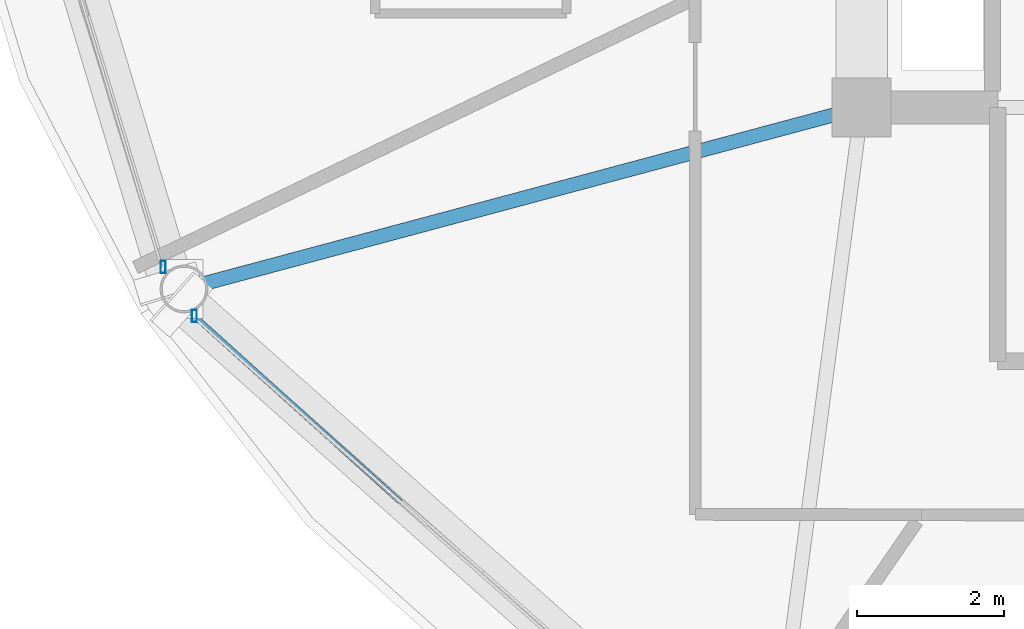
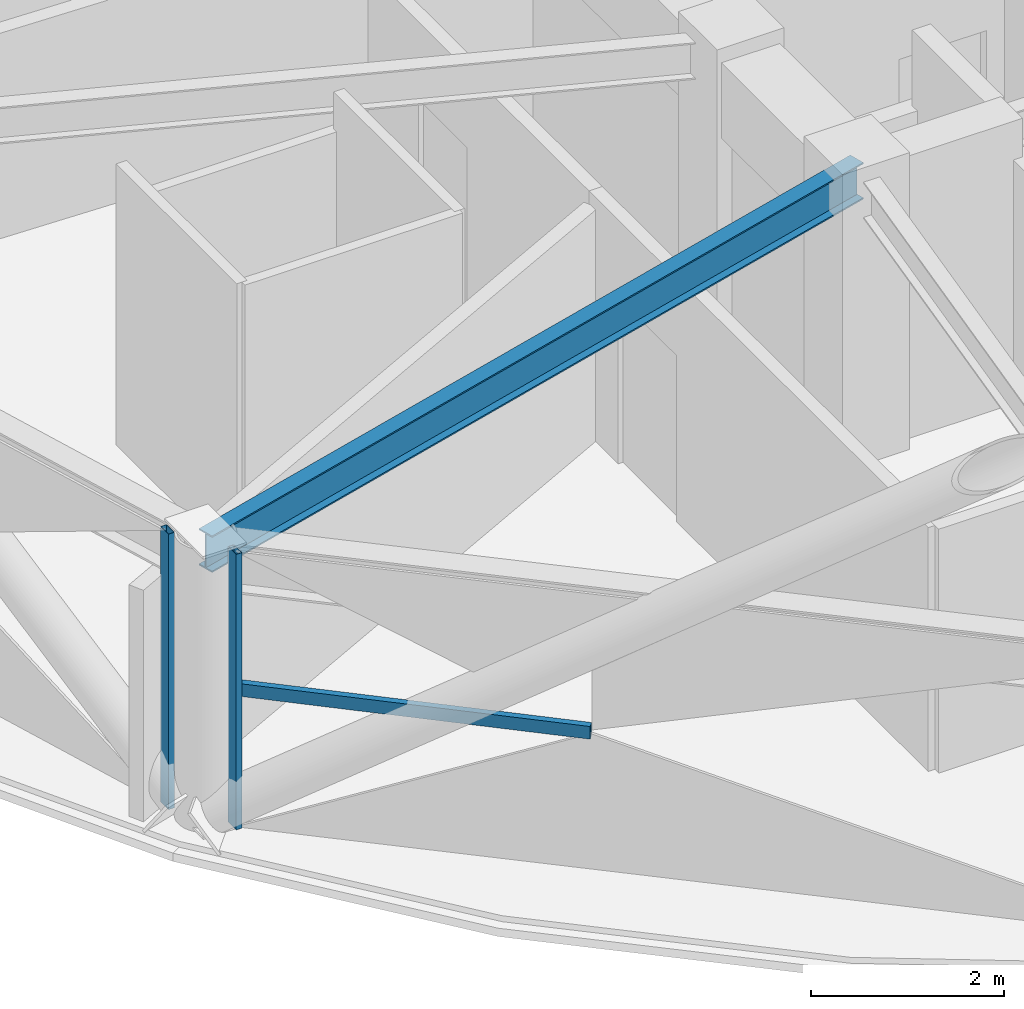
# One storey, part 3 of 29: 3 members, 1 beam, 2 elements without a shape of their own.
"""IFC4 building model written with IfcOpenShell, lengths in metres."""

from ifc_helpers import new_model, si_unit, direction, frame, origin, origin_2d, place, context, subcontext, project, spatial, hollow_rectangle, i_section, extrude, material, layer, layer_set, material_profile, profile_set, type_object, element, aggregate, save


model = new_model("IFC4")

# Units and contexts
model_context = context("Model", 3, precision=1e-05, world=origin(), true_north=direction((0.0, 1.0)))
body_context = subcontext(model_context, "Body", "Model", "MODEL_VIEW")
ifc_project = project(units=[si_unit("LENGTHUNIT", "METRE"), si_unit("AREAUNIT", "SQUARE_METRE"), si_unit("VOLUMEUNIT", "CUBIC_METRE"), si_unit("PLANEANGLEUNIT", "RADIAN"), si_unit("MASSUNIT", "GRAM", prefix="KILO")], contexts=[model_context])

# Site, building, storey
site_placement = place(None, origin())
site = spatial("IfcSite", under=ifc_project, at=site_placement, CompositionType="ELEMENT")
building_placement = place(site_placement, origin())
building = spatial("IfcBuilding", under=site, at=building_placement, Name="Vantalir Tower", CompositionType="ELEMENT")
storey_placement = place(building_placement, frame((0.0, 0.0, 234.89990234375)))
storey = spatial("IfcBuildingStorey", under=building, at=storey_placement, Name="L59", CompositionType="ELEMENT", Elevation=234.89990234375)

# Beam
ifc_material_1 = material(Name="Steel S355", Category="steel")
ifc_material_profile_1 = material_profile(ifc_material_1, i_section(OverallWidth=0.19189453125, OverallDepth=0.462890625, WebThickness=0.010498046875, FlangeThickness=0.017578125, at=origin_2d()), Name="Steel S355")
ifc_profile_set_1 = profile_set([ifc_material_profile_1], Name="Steel S355")
beam_type = type_object("IfcBeamType", Name="BM-RB-457x191", PredefinedType="BEAM", material=ifc_profile_set_1)
beam_placement = place(storey_placement, frame((12.69189453125, 15.3330078125, 3.338134765625), z_axis=(0.965932047749, 0.25879582518, 0.0), x_axis=(-0.25879582518, 0.965932047749, 0.0)))
element("IfcBeam", 1, at=beam_placement, inside=storey, type_object=beam_type, Name="L59 Radial Floor Beam 08", PredefinedType="BEAM", context=body_context, shape_type="SweptSolid", body=[
    extrude(i_section(OverallWidth=0.19189453125, OverallDepth=0.462890625, WebThickness=0.010498046875, FlangeThickness=0.017578125, at=origin_2d()), origin(), (0.0, 0.0, 1.0), 9.53271484375),
])

# Curtain wall, member
ifc_material_2 = material(Name="Champagne-silver PVDF aluminium and double-silver Low-E glass", Category="aluminium")
ifc_layer = layer(ifc_material_2, 0.2099609375)
ifc_layer_set = layer_set([ifc_layer], Name="Champagne-silver PVDF aluminium and double-silver Low-E glass")
curtain_wall_type = type_object("IfcCurtainWallType", Name="CW-DIAMOND-Z3", PredefinedType="USERDEFINED", material=ifc_layer_set)
curtain_wall_1_placement = place(storey_placement, origin())
curtain_wall_1 = element("IfcCurtainWall", 2, at=curtain_wall_1_placement, inside=storey, type_object=curtain_wall_type, Name="L59 Quilted Pyramid-Diamond Curtain Wall S07", ObjectType="UNITISED CURTAIN WALL", PredefinedType="USERDEFINED")
ifc_material_3 = material(Name="Champagne-silver PVDF aluminium 6063-T6", Category="aluminium")
ifc_material_profile_2 = material_profile(ifc_material_3, hollow_rectangle(XDim=0.070068359375, YDim=0.1650390625, WallThickness=0.00390625, at=origin_2d()), Name="Champagne-silver PVDF aluminium 6063-T6")
ifc_profile_set_2 = profile_set([ifc_material_profile_2], Name="Champagne-silver PVDF aluminium 6063-T6")
member_type_1 = type_object("IfcMemberType", Name="CWM-165x70", PredefinedType="MULLION", material=ifc_profile_set_2)
member_1_placement = place(storey_placement, frame((12.408935546875, 15.631103515625, 0.045166015625), z_axis=(0.0, 0.0, 1.0), x_axis=(1.0, 0.0, 0.0)))
member_1 = element("IfcMember", 3, at=member_1_placement, type_object=member_type_1, Name="CW-L59-S07 Mullion 2", PredefinedType="MULLION", context=body_context, shape_type="SweptSolid", body=[
    extrude(hollow_rectangle(XDim=0.070068359375, YDim=0.1650390625, WallThickness=0.00390625, at=origin_2d()), origin(), (0.0, 0.0, 1.0), 3.47998046875),
])
aggregate(curtain_wall_1, [member_1])

# Curtain wall, members
curtain_wall_2_placement = place(storey_placement, origin())
curtain_wall_2 = element("IfcCurtainWall", 4, at=curtain_wall_2_placement, inside=storey, type_object=curtain_wall_type, Name="L59 Quilted Pyramid-Diamond Curtain Wall S08", ObjectType="UNITISED CURTAIN WALL", PredefinedType="USERDEFINED")
member_2_placement = place(storey_placement, frame((12.8330078125, 14.965087890625, 0.045166015625), z_axis=(0.0, 0.0, 1.0), x_axis=(1.0, 0.0, 0.0)))
member_2 = element("IfcMember", 5, at=member_2_placement, type_object=member_type_1, Name="CW-L59-S08 Mullion 1", PredefinedType="MULLION", context=body_context, shape_type="SweptSolid", body=[
    extrude(hollow_rectangle(XDim=0.070068359375, YDim=0.1650390625, WallThickness=0.00390625, at=origin_2d()), origin(), (0.0, 0.0, 1.0), 3.47998046875),
])
ifc_material_profile_3 = material_profile(ifc_material_3, hollow_rectangle(XDim=0.074951171875, YDim=0.159912109375, WallThickness=0.00390625, at=origin_2d()), Name="Champagne-silver PVDF aluminium 6063-T6")
ifc_profile_set_3 = profile_set([ifc_material_profile_3], Name="Champagne-silver PVDF aluminium 6063-T6")
member_type_2 = type_object("IfcMemberType", Name="CWT-160x75", PredefinedType="USERDEFINED", material=ifc_profile_set_3)
member_3_placement = place(storey_placement, frame((12.8330078125, 14.965087890625, 1.78515625), z_axis=(0.742545695103, -0.669795409572, 0.0), x_axis=(0.669795409572, 0.742545695103, 0.0)))
member_3 = element("IfcMember", 6, at=member_3_placement, type_object=member_type_2, Name="CW-L59-S08 Pyramid Fold Ridge Transom", ObjectType="TRANSOM", PredefinedType="USERDEFINED", context=body_context, shape_type="SweptSolid", body=[
    extrude(hollow_rectangle(XDim=0.074951171875, YDim=0.159912109375, WallThickness=0.00390625, at=origin_2d()), origin(), (0.0, 0.0, 1.0), 3.765380859375),
])
aggregate(curtain_wall_2, [member_2, member_3])

save(model, "model.ifc")
